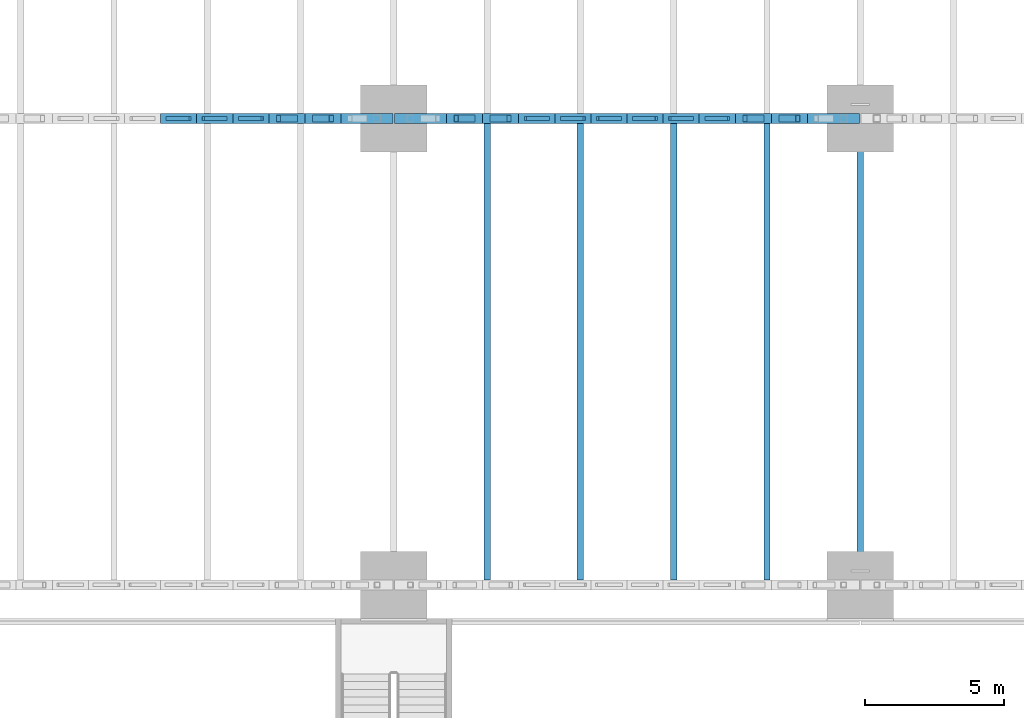
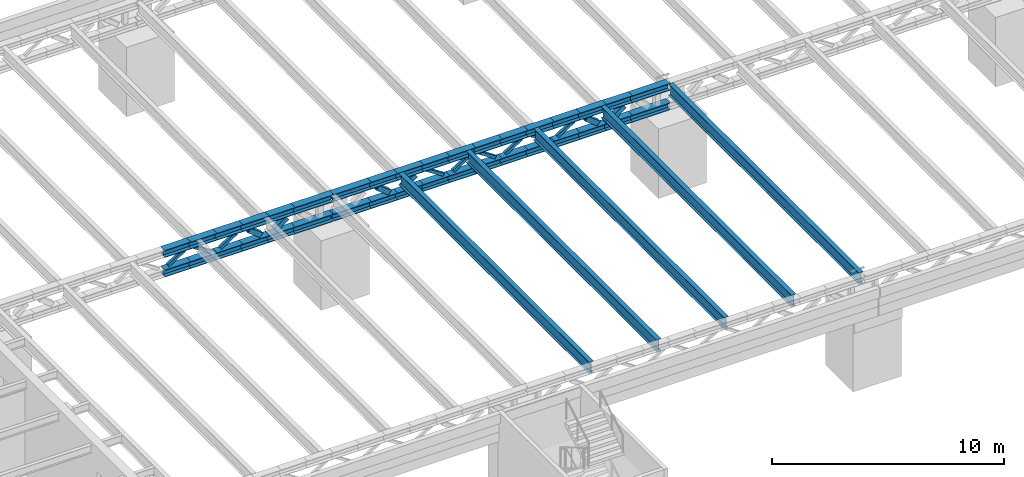
# One storey, part 18 of 93: 51 members, 5 beams.
"""IFC4 building model written with IfcOpenShell, lengths in metres."""

import ifcopenshell
import ifcopenshell.guid

model = None  # the IFC model being written
_history = None  # IfcOwnerHistory: only IFC2X3 demands one
_inside = {}  # id of a spatial element -> (the spatial element, [elements in it])
_under = {}  # id of a project, library or spatial element -> (it, [spatial elements below it])
_declared = {}  # id of a project -> (the project, [libraries it declares])
_typed = {}  # id of a type object -> (the type object, [elements of that type])
_made_of = {}  # id of a material, layer set ... -> (it, [elements and type objects made of it])


def new_model(schema):
    """Start an empty IFC model of exactly this schema.

    Asked for "IFC4X3", IfcOpenShell would pick the latest addendum, in which some entities
    have other attributes; the version numbers below select the first issue.
    IFC2X3 requires an IfcOwnerHistory on every rooted entity: one is made here for all.
    """
    global model, _history
    if schema == "IFC4X3":
        model = ifcopenshell.file(schema_version=(4, 3, 0, 0))
    else:
        model = ifcopenshell.file(schema=schema)
    _inside.clear()
    _under.clear()
    _declared.clear()
    _typed.clear()
    _made_of.clear()
    _history = None
    if model.schema == "IFC2X3":
        org = make("IfcOrganization", Name="unknown")
        user = make(
            "IfcPersonAndOrganization",
            ThePerson=make("IfcPerson", FamilyName="unknown"),
            TheOrganization=org,
        )
        app = make(
            "IfcApplication",
            ApplicationDeveloper=org,
            Version="unknown",
            ApplicationFullName="unknown",
            ApplicationIdentifier="unknown",
        )
        _history = make(
            "IfcOwnerHistory",
            OwningUser=user,
            OwningApplication=app,
            ChangeAction="ADDED",
            CreationDate=0,
        )
    return model


def make(cls, **values):
    """One entity of the class cls with the attributes given. An attribute that is None is left unset."""
    return model.create_entity(
        cls, **{name: value for name, value in values.items() if value is not None}
    )


def rooted(cls, **values):
    """An entity with a GlobalId (a new one), such as an element, a storey or a relation."""
    return make(cls, GlobalId=ifcopenshell.guid.new(), OwnerHistory=_history, **values)


def si_unit(unit_type, name, prefix=None):
    """IfcSIUnit, for example si_unit("LENGTHUNIT", "METRE", prefix="MILLI")."""
    return make("IfcSIUnit", UnitType=unit_type, Prefix=prefix, Name=name)


def assignment(units):
    """IfcUnitAssignment: the units of a project."""
    return None if units is None else make("IfcUnitAssignment", Units=units)


def point(xyz):
    """IfcCartesianPoint."""
    return None if xyz is None else make("IfcCartesianPoint", Coordinates=xyz)


def direction(xyz):
    """IfcDirection."""
    return None if xyz is None else make("IfcDirection", DirectionRatios=xyz)


def frame(location, z_axis=None, x_axis=None):
    """IfcAxis2Placement3D, a coordinate frame: its origin and axes. An axis left out is left unset."""
    return make(
        "IfcAxis2Placement3D",
        Location=point(location),
        Axis=direction(z_axis),
        RefDirection=direction(x_axis),
    )


def frame_2d(location, x_axis=None):
    """IfcAxis2Placement2D, a coordinate frame in the plane: its origin and x axis."""
    return make(
        "IfcAxis2Placement2D", Location=point(location), RefDirection=direction(x_axis)
    )


def origin():
    """The frame at (0, 0, 0) with its axes left unset."""
    return frame((0.0, 0.0, 0.0))


def origin_2d():
    """The frame at (0, 0) in the plane with its x axis left unset."""
    return frame_2d((0.0, 0.0))


def place(relative_to, where):
    """IfcLocalPlacement: puts the frame where relative to a parent placement (None: the world)."""
    return make(
        "IfcLocalPlacement", PlacementRelTo=relative_to, RelativePlacement=where
    )


def context(
    kind, dimensions, precision=None, world=None, true_north=None, identifier=None
):
    """IfcGeometricRepresentationContext, for example the 3D "Model" context."""
    return make(
        "IfcGeometricRepresentationContext",
        ContextIdentifier=identifier,
        ContextType=kind,
        CoordinateSpaceDimension=dimensions,
        Precision=precision,
        WorldCoordinateSystem=world,
        TrueNorth=true_north,
    )


def subcontext(parent, identifier, kind, view, scale=None):
    """IfcGeometricRepresentationSubContext, for example "Body" below "Model"."""
    return make(
        "IfcGeometricRepresentationSubContext",
        ContextIdentifier=identifier,
        ContextType=kind,
        ParentContext=parent,
        TargetScale=scale,
        TargetView=view,
    )


def project(units=None, contexts=None):
    """IfcProject with its units and contexts."""
    return rooted(
        "IfcProject",
        Name="project",
        RepresentationContexts=contexts,
        UnitsInContext=assignment(units),
    )


def spatial(cls, under=None, at=None, **own):
    """A site, building, storey or space (cls), placed at a placement, below another one or the project."""
    s = rooted(cls, ObjectPlacement=at, **own)
    if under is not None:
        _under.setdefault(under.id(), (under, []))[1].append(s)
    return s


def profile(cls, at=None, kind="AREA", **sizes):
    """A parametric profile (cls). Its sizes go by their IFC names, for example OverallWidth=200.0."""
    return make(cls, ProfileType=kind, Position=at, **sizes)


def hollow_rectangle(**sizes):
    """IfcRectangleHollowProfileDef."""
    return profile("IfcRectangleHollowProfileDef", **sizes)


def i_section(**sizes):
    """IfcIShapeProfileDef."""
    return profile("IfcIShapeProfileDef", **sizes)


def extrude(swept, where, along, depth):
    """IfcExtrudedAreaSolid: the profile swept, set in the frame where, extruded along a direction by depth."""
    return make(
        "IfcExtrudedAreaSolid",
        SweptArea=swept,
        Position=where,
        ExtrudedDirection=direction(along),
        Depth=depth,
    )


def shape(context_of_items, identifier, shape_type, items):
    """IfcShapeRepresentation: the items that make up one representation, for example the "Body"."""
    return make(
        "IfcShapeRepresentation",
        ContextOfItems=context_of_items,
        RepresentationIdentifier=identifier,
        RepresentationType=shape_type,
        Items=items,
    )


def material(Name=None, Category=None):
    """IfcMaterial."""
    return make("IfcMaterial", Name=Name, Category=Category)


def material_profile(
    of_material, cross_section, Name=None, Category=None, Priority=None
):
    """IfcMaterialProfile: a cross section and its material."""
    return make(
        "IfcMaterialProfile",
        Name=Name,
        Material=of_material,
        Profile=cross_section,
        Priority=Priority,
        Category=Category,
    )


def profile_set(profiles, Name=None, composite=None):
    """IfcMaterialProfileSet."""
    return make(
        "IfcMaterialProfileSet",
        Name=Name,
        MaterialProfiles=profiles,
        CompositeProfile=composite,
    )


def made_of(thing, what):
    """Note that an element or type object is made of a material, layer set ...; save() writes the relation."""
    if what is not None:
        _made_of.setdefault(what.id(), (what, []))[1].append(thing)
    return thing


def type_object(cls, material=None, **own):
    """A type object (cls), such as IfcWallType, which elements share."""
    return made_of(rooted(cls, **own), material)


def element(
    cls,
    number,
    at=None,
    inside=None,
    cuts=None,
    type_object=None,
    material=None,
    context=None,
    identifier="Body",
    shape_type=None,
    held_by="IfcProductDefinitionShape",
    body=None,
    shapes=None,
    **own,
):
    """One element of the class cls, such as IfcWall. Its Tag is "e" and its number.

    at: its placement. inside: the storey or other place that contains it. cuts: it is an
    opening in that element (IfcRelVoidsElement). A single representation is given by context,
    identifier, shape_type and body (its items); several are given by shapes. held_by: the class
    of the entity that holds the representations. save() writes the other relations.
    """
    e = rooted(cls, Tag="e%d" % number, ObjectPlacement=at, **own)
    if body is not None:
        shapes = [shape(context, identifier, shape_type, body)]
    if shapes is not None:
        e.Representation = make(held_by, Representations=shapes)
    if inside is not None:
        _inside.setdefault(inside.id(), (inside, []))[1].append(e)
    if cuts is not None:
        rooted(
            "IfcRelVoidsElement", RelatingBuildingElement=cuts, RelatedOpeningElement=e
        )
    if type_object is not None:
        _typed.setdefault(type_object.id(), (type_object, []))[1].append(e)
    return made_of(e, material)


def aggregate(whole, parts):
    """IfcRelAggregates: a whole, such as a stair, and the parts it consists of."""
    return rooted("IfcRelAggregates", RelatingObject=whole, RelatedObjects=parts)


def save(model, path):
    """Write the relations noted so far, then the file.

    IfcRelAggregates (storeys below a building ...), IfcRelContainedInSpatialStructure (elements
    in a storey), IfcRelDefinesByType, IfcRelAssociatesMaterial and IfcRelDeclares: one each for
    every whole, place, type object, material and project.
    """
    for whole, parts in _under.values():
        aggregate(whole, parts)
    for where, things in _inside.values():
        rooted(
            "IfcRelContainedInSpatialStructure",
            RelatedElements=things,
            RelatingStructure=where,
        )
    for kind, things in _typed.values():
        rooted("IfcRelDefinesByType", RelatedObjects=things, RelatingType=kind)
    for what, things in _made_of.values():
        rooted("IfcRelAssociatesMaterial", RelatedObjects=things, RelatingMaterial=what)
    for by, libraries in _declared.values():
        rooted("IfcRelDeclares", RelatingContext=by, RelatedDefinitions=libraries)
    model.write(path)


model = new_model("IFC4")

# Units and contexts
model_context = context("Model", 3, precision=1e-05, world=origin(), true_north=direction((0.0, 1.0)))
body_context = subcontext(model_context, "Body", "Model", "MODEL_VIEW")
ifc_project = project(units=[si_unit("LENGTHUNIT", "METRE"), si_unit("AREAUNIT", "SQUARE_METRE"), si_unit("VOLUMEUNIT", "CUBIC_METRE"), si_unit("PLANEANGLEUNIT", "RADIAN"), si_unit("MASSUNIT", "GRAM", prefix="KILO")], contexts=[model_context])

# Site, building, storey
site_placement = place(None, origin())
site = spatial("IfcSite", under=ifc_project, at=site_placement, CompositionType="ELEMENT")
building_placement = place(site_placement, origin())
building = spatial("IfcBuilding", under=site, at=building_placement, Name="Verrick Yard Athletic Hall", CompositionType="ELEMENT")
storey_placement = place(building_placement, frame((0.0, 0.0, 8.800048828125)))
storey = spatial("IfcBuildingStorey", under=building, at=storey_placement, Name="L02", CompositionType="ELEMENT", Elevation=8.800048828125)

# Beams
ifc_material_1 = material(Name="Structural steel 350W (CSA G40.21)", Category="steel")
ifc_material_profile_1 = material_profile(ifc_material_1, i_section(OverallWidth=0.22802734375, OverallDepth=0.60791015625, WebThickness=0.01123046875, FlangeThickness=0.017333984375, at=origin_2d()), Name="W610x113")
ifc_profile_set_1 = profile_set([ifc_material_profile_1], Name="Structural steel 350W (CSA G40.21)")
beam_type = type_object("IfcBeamType", Name="STR Secondary beam W610x113", PredefinedType="BEAM", material=ifc_profile_set_1)
for number, where, z_axis, x_axis, name in (
    (1, (60.159912109375, 19.384521484375, 4.745849609375), (0.0, 1.0, 0.0), (-1.0, 0.0, 0.0), "STR-SB-S121"),
    (2, (63.52001953125, 19.384521484375, 4.745849609375), (0.0, 1.0, 0.0), (-1.0, 0.0, 0.0), "STR-SB-S122"),
    (3, (66.8798828125, 19.384521484375, 4.745849609375), (0.0, 1.0, 0.0), (-1.0, 0.0, 0.0), "STR-SB-S123"),
    (4, (70.239990234375, 19.384521484375, 4.745849609375), (0.0, 1.0, 0.0), (-1.0, 0.0, 0.0), "STR-SB-S124"),
    (5, (73.60009765625, 19.384521484375, 4.745849609375), (0.0, 1.0, 0.0), (-1.0, 0.0, 0.0), "STR-SB-X3A"),
):
    element("IfcBeam", number, at=place(storey_placement, frame(where, z_axis=z_axis, x_axis=x_axis)), inside=storey, type_object=beam_type, Name=name, PredefinedType="BEAM", context=body_context, shape_type="SweptSolid", body=[
        extrude(i_section(OverallWidth=0.22802734375, OverallDepth=0.60791015625, WebThickness=0.01123046875, FlangeThickness=0.017333984375, at=origin_2d()), origin(), (0.0, 0.0, 1.0), 16.428466796875),
    ])

# Members
ifc_material_profile_2 = material_profile(ifc_material_1, i_section(OverallWidth=0.3740234375, OverallDepth=0.3720703125, WebThickness=0.016357421875, FlangeThickness=0.026123046875, at=origin_2d()), Name="W360x196")
ifc_profile_set_2 = profile_set([ifc_material_profile_2], Name="Structural steel 350W (CSA G40.21)")
member_type_1 = type_object("IfcMemberType", Name="STR Truss bottom chord W360x196", PredefinedType="CHORD", material=ifc_profile_set_2)
for number, where, z_axis, x_axis, name in (
    (6, (48.39990234375, 36.0, 3.8359375), (1.0, 0.0, 0.0), (0.0, 1.0, 0.0), "STR-BC-GB1-7"),
    (7, (49.699951171875, 36.0, 3.8359375), (1.0, 0.0, 0.0), (0.0, 1.0, 0.0), "STR-BC-GB1-8"),
    (8, (51.0, 36.0, 3.8359375), (1.0, 0.0, 0.0), (0.0, 1.0, 0.0), "STR-BC-GB1-9"),
    (9, (52.300048828125, 36.0, 3.8359375), (1.0, 0.0, 0.0), (0.0, 1.0, 0.0), "STR-BC-GB1-10"),
):
    element("IfcMember", number, at=place(storey_placement, frame(where, z_axis=z_axis, x_axis=x_axis)), inside=storey, type_object=member_type_1, Name=name, PredefinedType="CHORD", context=body_context, shape_type="SweptSolid", body=[
        extrude(i_section(OverallWidth=0.3740234375, OverallDepth=0.3720703125, WebThickness=0.016357421875, FlangeThickness=0.026123046875, at=origin_2d()), origin(), (0.0, 0.0, 1.0), 1.300048828125),
    ])
member_1_placement = place(storey_placement, frame((53.60009765625, 36.0, 3.8359375), z_axis=(1.0, 0.0, 0.0), x_axis=(0.0, 1.0, 0.0)))
element("IfcMember", 10, at=member_1_placement, inside=storey, type_object=member_type_1, Name="STR-BC-GB1-11", PredefinedType="CHORD", context=body_context, shape_type="SweptSolid", body=[
    extrude(i_section(OverallWidth=0.3740234375, OverallDepth=0.3720703125, WebThickness=0.016357421875, FlangeThickness=0.026123046875, at=origin_2d()), origin(), (0.0, 0.0, 1.0), 1.2998046875),
])
for number, where, z_axis, x_axis, name in (
    (11, (54.89990234375, 36.0, 3.8359375), (1.0, 0.0, 0.0), (0.0, 1.0, 0.0), "STR-BC-GB1-12"),
    (12, (56.824951171875, 36.0, 3.8359375), (1.0, 0.0, 0.0), (0.0, 1.0, 0.0), "STR-BC-GB2-1"),
):
    element("IfcMember", number, at=place(storey_placement, frame(where, z_axis=z_axis, x_axis=x_axis)), inside=storey, type_object=member_type_1, Name=name, PredefinedType="CHORD", context=body_context, shape_type="SweptSolid", body=[
        extrude(i_section(OverallWidth=0.3740234375, OverallDepth=0.3720703125, WebThickness=0.016357421875, FlangeThickness=0.026123046875, at=origin_2d()), origin(), (0.0, 0.0, 1.0), 1.875),
    ])
for number, where, z_axis, x_axis, name in (
    (13, (58.699951171875, 36.0, 3.8359375), (1.0, 0.0, 0.0), (0.0, 1.0, 0.0), "STR-BC-GB2-2"),
    (14, (60.0, 36.0, 3.8359375), (1.0, 0.0, 0.0), (0.0, 1.0, 0.0), "STR-BC-GB2-3"),
    (15, (61.300048828125, 36.0, 3.8359375), (1.0, 0.0, 0.0), (0.0, 1.0, 0.0), "STR-BC-GB2-4"),
):
    element("IfcMember", number, at=place(storey_placement, frame(where, z_axis=z_axis, x_axis=x_axis)), inside=storey, type_object=member_type_1, Name=name, PredefinedType="CHORD", context=body_context, shape_type="SweptSolid", body=[
        extrude(i_section(OverallWidth=0.3740234375, OverallDepth=0.3720703125, WebThickness=0.016357421875, FlangeThickness=0.026123046875, at=origin_2d()), origin(), (0.0, 0.0, 1.0), 1.300048828125),
    ])
member_2_placement = place(storey_placement, frame((62.60009765625, 36.0, 3.8359375), z_axis=(1.0, 0.0, 0.0), x_axis=(0.0, 1.0, 0.0)))
element("IfcMember", 16, at=member_2_placement, inside=storey, type_object=member_type_1, Name="STR-BC-GB2-5", PredefinedType="CHORD", context=body_context, shape_type="SweptSolid", body=[
    extrude(i_section(OverallWidth=0.3740234375, OverallDepth=0.3720703125, WebThickness=0.016357421875, FlangeThickness=0.026123046875, at=origin_2d()), origin(), (0.0, 0.0, 1.0), 1.2998046875),
])
for number, where, z_axis, x_axis, name in (
    (17, (63.89990234375, 36.0, 3.8359375), (1.0, 0.0, 0.0), (0.0, 1.0, 0.0), "STR-BC-GB2-6"),
    (18, (65.199951171875, 36.0, 3.8359375), (1.0, 0.0, 0.0), (0.0, 1.0, 0.0), "STR-BC-GB2-7"),
    (19, (66.5, 36.0, 3.8359375), (1.0, 0.0, 0.0), (0.0, 1.0, 0.0), "STR-BC-GB2-8"),
    (20, (67.800048828125, 36.0, 3.8359375), (1.0, 0.0, 0.0), (0.0, 1.0, 0.0), "STR-BC-GB2-9"),
):
    element("IfcMember", number, at=place(storey_placement, frame(where, z_axis=z_axis, x_axis=x_axis)), inside=storey, type_object=member_type_1, Name=name, PredefinedType="CHORD", context=body_context, shape_type="SweptSolid", body=[
        extrude(i_section(OverallWidth=0.3740234375, OverallDepth=0.3720703125, WebThickness=0.016357421875, FlangeThickness=0.026123046875, at=origin_2d()), origin(), (0.0, 0.0, 1.0), 1.300048828125),
    ])
member_3_placement = place(storey_placement, frame((69.10009765625, 36.0, 3.8359375), z_axis=(1.0, 0.0, 0.0), x_axis=(0.0, 1.0, 0.0)))
element("IfcMember", 21, at=member_3_placement, inside=storey, type_object=member_type_1, Name="STR-BC-GB2-10", PredefinedType="CHORD", context=body_context, shape_type="SweptSolid", body=[
    extrude(i_section(OverallWidth=0.3740234375, OverallDepth=0.3720703125, WebThickness=0.016357421875, FlangeThickness=0.026123046875, at=origin_2d()), origin(), (0.0, 0.0, 1.0), 1.2998046875),
])
member_4_placement = place(storey_placement, frame((70.39990234375, 36.0, 3.8359375), z_axis=(1.0, 0.0, 0.0), x_axis=(0.0, 1.0, 0.0)))
element("IfcMember", 22, at=member_4_placement, inside=storey, type_object=member_type_1, Name="STR-BC-GB2-11", PredefinedType="CHORD", context=body_context, shape_type="SweptSolid", body=[
    extrude(i_section(OverallWidth=0.3740234375, OverallDepth=0.3720703125, WebThickness=0.016357421875, FlangeThickness=0.026123046875, at=origin_2d()), origin(), (0.0, 0.0, 1.0), 1.300048828125),
])
member_5_placement = place(storey_placement, frame((71.699951171875, 36.0, 3.8359375), z_axis=(1.0, 0.0, 0.0), x_axis=(0.0, 1.0, 0.0)))
element("IfcMember", 23, at=member_5_placement, inside=storey, type_object=member_type_1, Name="STR-BC-GB2-12", PredefinedType="CHORD", context=body_context, shape_type="SweptSolid", body=[
    extrude(i_section(OverallWidth=0.3740234375, OverallDepth=0.3720703125, WebThickness=0.016357421875, FlangeThickness=0.026123046875, at=origin_2d()), origin(), (0.0, 0.0, 1.0), 1.875),
])
ifc_material_profile_3 = material_profile(ifc_material_1, i_section(OverallWidth=0.3740234375, OverallDepth=0.3720703125, WebThickness=0.016357421875, FlangeThickness=0.026123046875, at=origin_2d()), Name="W360x196")
ifc_profile_set_3 = profile_set([ifc_material_profile_3], Name="Structural steel 350W (CSA G40.21)")
member_type_2 = type_object("IfcMemberType", Name="STR Truss top chord W360x196", PredefinedType="CHORD", material=ifc_profile_set_3)
for number, where, z_axis, x_axis, name in (
    (24, (48.39990234375, 36.0, 4.864013671875), (1.0, 0.0, 0.0), (0.0, 1.0, 0.0), "STR-TC-GB1-7"),
    (25, (49.699951171875, 36.0, 4.864013671875), (1.0, 0.0, 0.0), (0.0, 1.0, 0.0), "STR-TC-GB1-8"),
    (26, (51.0, 36.0, 4.864013671875), (1.0, 0.0, 0.0), (0.0, 1.0, 0.0), "STR-TC-GB1-9"),
    (27, (52.300048828125, 36.0, 4.864013671875), (1.0, 0.0, 0.0), (0.0, 1.0, 0.0), "STR-TC-GB1-10"),
):
    element("IfcMember", number, at=place(storey_placement, frame(where, z_axis=z_axis, x_axis=x_axis)), inside=storey, type_object=member_type_2, Name=name, PredefinedType="CHORD", context=body_context, shape_type="SweptSolid", body=[
        extrude(i_section(OverallWidth=0.3740234375, OverallDepth=0.3720703125, WebThickness=0.016357421875, FlangeThickness=0.026123046875, at=origin_2d()), origin(), (0.0, 0.0, 1.0), 1.300048828125),
    ])
member_6_placement = place(storey_placement, frame((53.60009765625, 36.0, 4.864013671875), z_axis=(1.0, 0.0, 0.0), x_axis=(0.0, 1.0, 0.0)))
element("IfcMember", 28, at=member_6_placement, inside=storey, type_object=member_type_2, Name="STR-TC-GB1-11", PredefinedType="CHORD", context=body_context, shape_type="SweptSolid", body=[
    extrude(i_section(OverallWidth=0.3740234375, OverallDepth=0.3720703125, WebThickness=0.016357421875, FlangeThickness=0.026123046875, at=origin_2d()), origin(), (0.0, 0.0, 1.0), 1.2998046875),
])
for number, where, z_axis, x_axis, name in (
    (29, (54.89990234375, 36.0, 4.864013671875), (1.0, 0.0, 0.0), (0.0, 1.0, 0.0), "STR-TC-GB1-12"),
    (30, (56.824951171875, 36.0, 4.864013671875), (1.0, 0.0, 0.0), (0.0, 1.0, 0.0), "STR-TC-GB2-1"),
):
    element("IfcMember", number, at=place(storey_placement, frame(where, z_axis=z_axis, x_axis=x_axis)), inside=storey, type_object=member_type_2, Name=name, PredefinedType="CHORD", context=body_context, shape_type="SweptSolid", body=[
        extrude(i_section(OverallWidth=0.3740234375, OverallDepth=0.3720703125, WebThickness=0.016357421875, FlangeThickness=0.026123046875, at=origin_2d()), origin(), (0.0, 0.0, 1.0), 1.875),
    ])
for number, where, z_axis, x_axis, name in (
    (31, (58.699951171875, 36.0, 4.864013671875), (1.0, 0.0, 0.0), (0.0, 1.0, 0.0), "STR-TC-GB2-2"),
    (32, (60.0, 36.0, 4.864013671875), (1.0, 0.0, 0.0), (0.0, 1.0, 0.0), "STR-TC-GB2-3"),
    (33, (61.300048828125, 36.0, 4.864013671875), (1.0, 0.0, 0.0), (0.0, 1.0, 0.0), "STR-TC-GB2-4"),
):
    element("IfcMember", number, at=place(storey_placement, frame(where, z_axis=z_axis, x_axis=x_axis)), inside=storey, type_object=member_type_2, Name=name, PredefinedType="CHORD", context=body_context, shape_type="SweptSolid", body=[
        extrude(i_section(OverallWidth=0.3740234375, OverallDepth=0.3720703125, WebThickness=0.016357421875, FlangeThickness=0.026123046875, at=origin_2d()), origin(), (0.0, 0.0, 1.0), 1.300048828125),
    ])
member_7_placement = place(storey_placement, frame((62.60009765625, 36.0, 4.864013671875), z_axis=(1.0, 0.0, 0.0), x_axis=(0.0, 1.0, 0.0)))
element("IfcMember", 34, at=member_7_placement, inside=storey, type_object=member_type_2, Name="STR-TC-GB2-5", PredefinedType="CHORD", context=body_context, shape_type="SweptSolid", body=[
    extrude(i_section(OverallWidth=0.3740234375, OverallDepth=0.3720703125, WebThickness=0.016357421875, FlangeThickness=0.026123046875, at=origin_2d()), origin(), (0.0, 0.0, 1.0), 1.2998046875),
])
for number, where, z_axis, x_axis, name in (
    (35, (63.89990234375, 36.0, 4.864013671875), (1.0, 0.0, 0.0), (0.0, 1.0, 0.0), "STR-TC-GB2-6"),
    (36, (65.199951171875, 36.0, 4.864013671875), (1.0, 0.0, 0.0), (0.0, 1.0, 0.0), "STR-TC-GB2-7"),
    (37, (66.5, 36.0, 4.864013671875), (1.0, 0.0, 0.0), (0.0, 1.0, 0.0), "STR-TC-GB2-8"),
    (38, (67.800048828125, 36.0, 4.864013671875), (1.0, 0.0, 0.0), (0.0, 1.0, 0.0), "STR-TC-GB2-9"),
):
    element("IfcMember", number, at=place(storey_placement, frame(where, z_axis=z_axis, x_axis=x_axis)), inside=storey, type_object=member_type_2, Name=name, PredefinedType="CHORD", context=body_context, shape_type="SweptSolid", body=[
        extrude(i_section(OverallWidth=0.3740234375, OverallDepth=0.3720703125, WebThickness=0.016357421875, FlangeThickness=0.026123046875, at=origin_2d()), origin(), (0.0, 0.0, 1.0), 1.300048828125),
    ])
member_8_placement = place(storey_placement, frame((69.10009765625, 36.0, 4.864013671875), z_axis=(1.0, 0.0, 0.0), x_axis=(0.0, 1.0, 0.0)))
element("IfcMember", 39, at=member_8_placement, inside=storey, type_object=member_type_2, Name="STR-TC-GB2-10", PredefinedType="CHORD", context=body_context, shape_type="SweptSolid", body=[
    extrude(i_section(OverallWidth=0.3740234375, OverallDepth=0.3720703125, WebThickness=0.016357421875, FlangeThickness=0.026123046875, at=origin_2d()), origin(), (0.0, 0.0, 1.0), 1.2998046875),
])
member_9_placement = place(storey_placement, frame((70.39990234375, 36.0, 4.864013671875), z_axis=(1.0, 0.0, 0.0), x_axis=(0.0, 1.0, 0.0)))
element("IfcMember", 40, at=member_9_placement, inside=storey, type_object=member_type_2, Name="STR-TC-GB2-11", PredefinedType="CHORD", context=body_context, shape_type="SweptSolid", body=[
    extrude(i_section(OverallWidth=0.3740234375, OverallDepth=0.3720703125, WebThickness=0.016357421875, FlangeThickness=0.026123046875, at=origin_2d()), origin(), (0.0, 0.0, 1.0), 1.300048828125),
])
member_10_placement = place(storey_placement, frame((71.699951171875, 36.0, 4.864013671875), z_axis=(1.0, 0.0, 0.0), x_axis=(0.0, 1.0, 0.0)))
element("IfcMember", 41, at=member_10_placement, inside=storey, type_object=member_type_2, Name="STR-TC-GB2-12", PredefinedType="CHORD", context=body_context, shape_type="SweptSolid", body=[
    extrude(i_section(OverallWidth=0.3740234375, OverallDepth=0.3720703125, WebThickness=0.016357421875, FlangeThickness=0.026123046875, at=origin_2d()), origin(), (0.0, 0.0, 1.0), 1.875),
])
ifc_material_2 = material(Name="Structural steel HSS Class C 350W (CSA G40.20/G40.21)", Category="steel")
ifc_material_profile_4 = material_profile(ifc_material_2, hollow_rectangle(XDim=0.15234375, YDim=0.15234375, WallThickness=0.009521484375, at=origin_2d()), Name="HSS152x152x9.5")
ifc_profile_set_4 = profile_set([ifc_material_profile_4], Name="Structural steel HSS Class C 350W (CSA G40.20/G40.21)")
member_type_3 = type_object("IfcMemberType", Name="STR Truss web HSS152x152x9.5", PredefinedType="BRACE", material=ifc_profile_set_4)
member_11_placement = place(storey_placement, frame((48.642578125, 36.0, 4.085205078125), z_axis=(0.838638726033, 0.0, 0.544688064122), x_axis=(0.0, 1.0, 0.0)))
element("IfcMember", 42, at=member_11_placement, inside=storey, type_object=member_type_3, Name="STR-TW-GB1-7", PredefinedType="BRACE", context=body_context, shape_type="SweptSolid", body=[
    extrude(hollow_rectangle(XDim=0.15234375, YDim=0.15234375, WallThickness=0.009521484375, at=origin_2d()), origin(), (0.0, 0.0, 1.0), 0.9716796875),
])
for number, where, z_axis, x_axis, name in (
    (43, (49.9423828125, 36.0, 4.614501953125), (0.838713241607, 0.0, -0.544573317701), (0.0, 1.0, 0.0), "STR-TW-GB1-8"),
    (44, (51.242431640625, 36.0, 4.085205078125), (0.838713241607, 0.0, 0.544573317701), (0.0, 1.0, 0.0), "STR-TW-GB1-9"),
):
    element("IfcMember", number, at=place(storey_placement, frame(where, z_axis=z_axis, x_axis=x_axis)), inside=storey, type_object=member_type_3, Name=name, PredefinedType="BRACE", context=body_context, shape_type="SweptSolid", body=[
        extrude(hollow_rectangle(XDim=0.15234375, YDim=0.15234375, WallThickness=0.009521484375, at=origin_2d()), origin(), (0.0, 0.0, 1.0), 0.971923828125),
    ])
for number, where, z_axis, x_axis, name in (
    (45, (61.54248046875, 36.0, 4.614501953125), (0.838638726033, 0.0, -0.544688064122), (0.0, 1.0, 0.0), "STR-TW-GB2-4"),
    (46, (62.842529296875, 36.0, 4.085205078125), (0.838638726033, 0.0, 0.544688064122), (0.0, 1.0, 0.0), "STR-TW-GB2-5"),
    (47, (64.142578125, 36.0, 4.614501953125), (0.838638726033, 0.0, -0.544688064122), (0.0, 1.0, 0.0), "STR-TW-GB2-6"),
):
    element("IfcMember", number, at=place(storey_placement, frame(where, z_axis=z_axis, x_axis=x_axis)), inside=storey, type_object=member_type_3, Name=name, PredefinedType="BRACE", context=body_context, shape_type="SweptSolid", body=[
        extrude(hollow_rectangle(XDim=0.15234375, YDim=0.15234375, WallThickness=0.009521484375, at=origin_2d()), origin(), (0.0, 0.0, 1.0), 0.9716796875),
    ])
for number, where, z_axis, x_axis, name in (
    (48, (65.4423828125, 36.0, 4.085205078125), (0.838713241607, 0.0, 0.544573317701), (0.0, 1.0, 0.0), "STR-TW-GB2-7"),
    (49, (66.742431640625, 36.0, 4.614501953125), (0.838713241607, 0.0, -0.544573317701), (0.0, 1.0, 0.0), "STR-TW-GB2-8"),
):
    element("IfcMember", number, at=place(storey_placement, frame(where, z_axis=z_axis, x_axis=x_axis)), inside=storey, type_object=member_type_3, Name=name, PredefinedType="BRACE", context=body_context, shape_type="SweptSolid", body=[
        extrude(hollow_rectangle(XDim=0.15234375, YDim=0.15234375, WallThickness=0.009521484375, at=origin_2d()), origin(), (0.0, 0.0, 1.0), 0.971923828125),
    ])
member_12_placement = place(storey_placement, frame((68.04248046875, 36.0, 4.085205078125), z_axis=(0.838638726033, 0.0, 0.544688064122), x_axis=(0.0, 1.0, 0.0)))
element("IfcMember", 50, at=member_12_placement, inside=storey, type_object=member_type_3, Name="STR-TW-GB2-9", PredefinedType="BRACE", context=body_context, shape_type="SweptSolid", body=[
    extrude(hollow_rectangle(XDim=0.15234375, YDim=0.15234375, WallThickness=0.009521484375, at=origin_2d()), origin(), (0.0, 0.0, 1.0), 0.9716796875),
])
ifc_material_profile_5 = material_profile(ifc_material_2, hollow_rectangle(XDim=0.25390625, YDim=0.25390625, WallThickness=0.0126953125, at=origin_2d()), Name="HSS254x254x13")
ifc_profile_set_5 = profile_set([ifc_material_profile_5], Name="Structural steel HSS Class C 350W (CSA G40.20/G40.21)")
member_type_4 = type_object("IfcMemberType", Name="STR Truss web HSS254x254x13", PredefinedType="BRACE", material=ifc_profile_set_5)
member_13_placement = place(storey_placement, frame((52.649169921875, 36.0, 4.5771484375), z_axis=(0.798092207374, 0.0, -0.602535333843), x_axis=(0.0, 1.0, 0.0)))
element("IfcMember", 51, at=member_13_placement, inside=storey, type_object=member_type_4, Name="STR-TW-GB1-10", PredefinedType="BRACE", context=body_context, shape_type="SweptSolid", body=[
    extrude(hollow_rectangle(XDim=0.25390625, YDim=0.25390625, WallThickness=0.0126953125, at=origin_2d()), origin(), (0.0, 0.0, 1.0), 0.754150390625),
])
member_14_placement = place(storey_placement, frame((53.94921875, 36.0, 4.122802734375), z_axis=(0.797974617605, 0.0, 0.60269105656), x_axis=(0.0, 1.0, 0.0)))
element("IfcMember", 52, at=member_14_placement, inside=storey, type_object=member_type_4, Name="STR-TW-GB1-11", PredefinedType="BRACE", context=body_context, shape_type="SweptSolid", body=[
    extrude(hollow_rectangle(XDim=0.25390625, YDim=0.25390625, WallThickness=0.0126953125, at=origin_2d()), origin(), (0.0, 0.0, 1.0), 0.75390625),
])
for number, where, z_axis, x_axis, name in (
    (53, (59.049072265625, 36.0, 4.5771484375), (0.798092207374, 0.0, -0.602535333843), (0.0, 1.0, 0.0), "STR-TW-GB2-2"),
    (54, (60.34912109375, 36.0, 4.122802734375), (0.798092207374, 0.0, 0.602535333843), (0.0, 1.0, 0.0), "STR-TW-GB2-3"),
):
    element("IfcMember", number, at=place(storey_placement, frame(where, z_axis=z_axis, x_axis=x_axis)), inside=storey, type_object=member_type_4, Name=name, PredefinedType="BRACE", context=body_context, shape_type="SweptSolid", body=[
        extrude(hollow_rectangle(XDim=0.25390625, YDim=0.25390625, WallThickness=0.0126953125, at=origin_2d()), origin(), (0.0, 0.0, 1.0), 0.754150390625),
    ])
member_15_placement = place(storey_placement, frame((69.44921875, 36.0, 4.5771484375), z_axis=(0.797974617605, 0.0, -0.60269105656), x_axis=(0.0, 1.0, 0.0)))
element("IfcMember", 55, at=member_15_placement, inside=storey, type_object=member_type_4, Name="STR-TW-GB2-10", PredefinedType="BRACE", context=body_context, shape_type="SweptSolid", body=[
    extrude(hollow_rectangle(XDim=0.25390625, YDim=0.25390625, WallThickness=0.0126953125, at=origin_2d()), origin(), (0.0, 0.0, 1.0), 0.75390625),
])
member_16_placement = place(storey_placement, frame((70.7490234375, 36.0, 4.122802734375), z_axis=(0.798092207374, 0.0, 0.602535333843), x_axis=(0.0, 1.0, 0.0)))
element("IfcMember", 56, at=member_16_placement, inside=storey, type_object=member_type_4, Name="STR-TW-GB2-11", PredefinedType="BRACE", context=body_context, shape_type="SweptSolid", body=[
    extrude(hollow_rectangle(XDim=0.25390625, YDim=0.25390625, WallThickness=0.0126953125, at=origin_2d()), origin(), (0.0, 0.0, 1.0), 0.754150390625),
])

save(model, "model.ifc")
